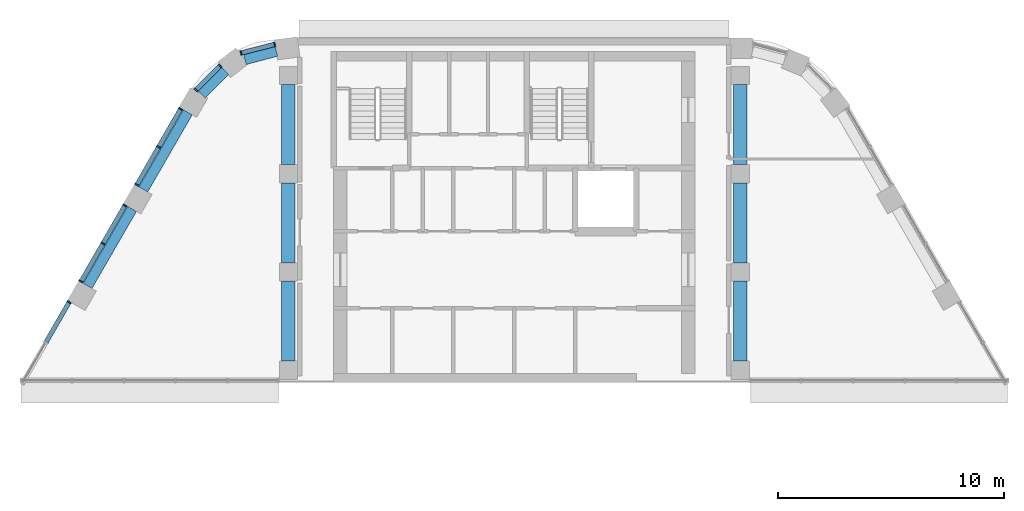
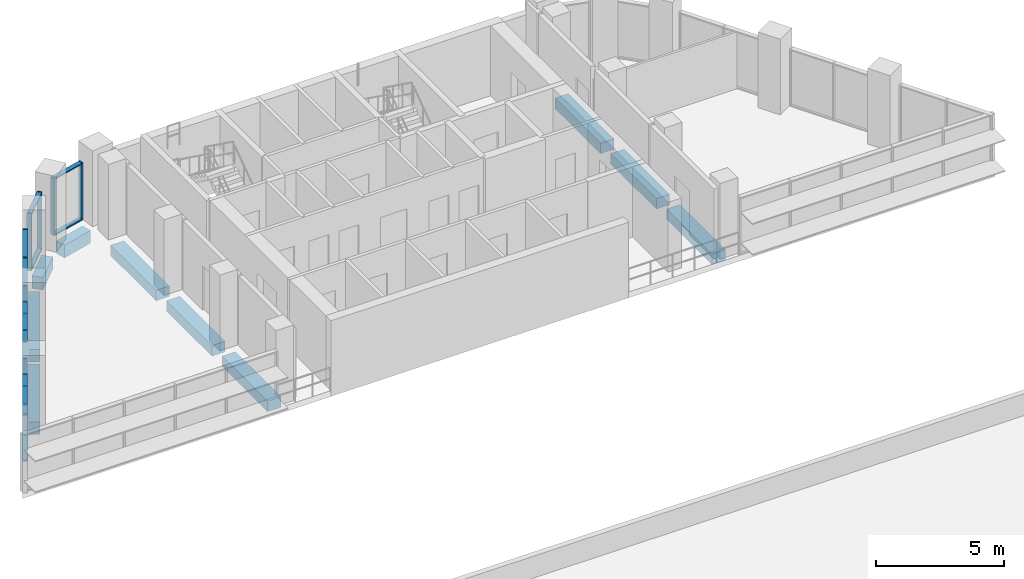
# One storey, part 4 of 10: 25 members, 10 beams, 5 elements without a shape of their own.
"""IFC4 building model written with IfcOpenShell, lengths in metres."""

from ifc_helpers import new_model, si_unit, direction, frame, origin, origin_2d, place, context, subcontext, project, spatial, rectangle, extrude, material, layer, layer_set, material_profile, profile_set, type_object, element, aggregate, save


model = new_model("IFC4")

# Units and contexts
model_context = context("Model", 3, precision=1e-05, world=origin(), true_north=direction((0.0, 1.0)))
body_context = subcontext(model_context, "Body", "Model", "MODEL_VIEW")
ifc_project = project(units=[si_unit("LENGTHUNIT", "METRE"), si_unit("AREAUNIT", "SQUARE_METRE"), si_unit("VOLUMEUNIT", "CUBIC_METRE"), si_unit("PLANEANGLEUNIT", "RADIAN"), si_unit("MASSUNIT", "GRAM", prefix="KILO")], contexts=[model_context])

# Site, building, storey
site_placement = place(None, origin())
site = spatial("IfcSite", under=ifc_project, at=site_placement, CompositionType="ELEMENT")
building_placement = place(site_placement, origin())
building = spatial("IfcBuilding", under=site, at=building_placement, Name="Nakaniwa Court", CompositionType="ELEMENT")
storey_placement = place(building_placement, frame((0.0, 0.0, 290.39990234375)))
storey = spatial("IfcBuildingStorey", under=building, at=storey_placement, Name="C06", CompositionType="ELEMENT", Elevation=290.39990234375)

# Beams
ifc_material_1 = material(Name="Concrete C80/100", Category="concrete")
ifc_material_profile_1 = material_profile(ifc_material_1, rectangle(XDim=0.449951171875, YDim=0.60009765625, at=origin_2d()), Name="Concrete C80/100 RC 450x600 spandrel beam")
ifc_profile_set_1 = profile_set([ifc_material_profile_1], Name="Concrete C80/100")
beam_type_1 = type_object("IfcBeamType", Name="Concrete C80/100 RC 450x600 spandrel beam", PredefinedType="BEAM", material=ifc_profile_set_1)
beam_1_placement = place(storey_placement, frame((69.467529296875, 102.0703125, -0.574951171875), z_axis=(-0.966341744737, -0.257261797354, 0.0), x_axis=(0.257261797354, -0.966341744737, 0.0)))
element("IfcBeam", 1, at=beam_1_placement, inside=storey, type_object=beam_type_1, Name="SPANDREL BEAM", PredefinedType="BEAM", context=body_context, shape_type="SweptSolid", body=[
    extrude(rectangle(XDim=0.449951171875, YDim=0.60009765625, at=origin_2d()), origin(), (0.0, 0.0, 1.0), 1.440673828125),
])
beam_2_placement = place(storey_placement, frame((67.196044921875, 101.202880859375, -0.574951171875), z_axis=(-0.706105687672, -0.708106459396, 0.0), x_axis=(0.708106459396, -0.706105687672, 0.0)))
element("IfcBeam", 2, at=beam_2_placement, inside=storey, type_object=beam_type_1, Name="SPANDREL BEAM", PredefinedType="BEAM", context=body_context, shape_type="SweptSolid", body=[
    extrude(rectangle(XDim=0.449951171875, YDim=0.60009765625, at=origin_2d()), origin(), (0.0, 0.0, 1.0), 1.46435546875),
])
for number, where, z_axis, x_axis, name in (
    (3, (65.546875, 99.366455078125, -0.574951171875), (-0.499974795965, -0.866039954852, 0.0), (0.866039954852, -0.499974795965, 0.0), "SPANDREL BEAM"),
    (4, (63.078857421875, 95.091552734375, -0.574951171875), (-0.500021313302, -0.866013098194, 0.0), (0.866013098194, -0.500021313302, 0.0), "SPANDREL BEAM"),
):
    element("IfcBeam", number, at=place(storey_placement, frame(where, z_axis=z_axis, x_axis=x_axis)), inside=storey, type_object=beam_type_1, Name=name, PredefinedType="BEAM", context=body_context, shape_type="SweptSolid", body=[
        extrude(rectangle(XDim=0.449951171875, YDim=0.60009765625, at=origin_2d()), origin(), (0.0, 0.0, 1.0), 3.936279296875),
    ])
ifc_material_profile_2 = material_profile(ifc_material_1, rectangle(XDim=0.60009765625, YDim=0.5, at=origin_2d()), Name="Concrete C80/100 RC 600x500 ring beam")
ifc_profile_set_2 = profile_set([ifc_material_profile_2], Name="Concrete C80/100")
beam_type_2 = type_object("IfcBeamType", Name="Concrete C80/100 RC 600x500 ring beam", PredefinedType="BEAM", material=ifc_profile_set_2)
beam_3_placement = place(storey_placement, frame((90.0, 88.35009765625, -0.52490234375), z_axis=(0.0, 1.0, 0.0), x_axis=(-1.0, 0.0, 0.0)))
element("IfcBeam", 5, at=beam_3_placement, inside=storey, type_object=beam_type_2, Name="RING BEAM", PredefinedType="BEAM", context=body_context, shape_type="SweptSolid", body=[
    extrude(rectangle(XDim=0.60009765625, YDim=0.5, at=origin_2d()), origin(), (0.0, 0.0, 1.0), 3.5498046875),
])
for number, where, z_axis, x_axis, name in (
    (6, (90.0, 92.699951171875, -0.52490234375), (0.0, 1.0, 0.0), (-1.0, 0.0, 0.0), "RING BEAM"),
    (7, (90.0, 97.050048828125, -0.52490234375), (0.0, 1.0, 0.0), (-1.0, 0.0, 0.0), "RING BEAM"),
    (8, (70.0, 100.60009765625, -0.52490234375), (0.0, -1.0, 0.0), (1.0, 0.0, 0.0), "RING BEAM"),
    (9, (70.0, 96.25, -0.52490234375), (0.0, -1.0, 0.0), (1.0, 0.0, 0.0), "RING BEAM"),
):
    element("IfcBeam", number, at=place(storey_placement, frame(where, z_axis=z_axis, x_axis=x_axis)), inside=storey, type_object=beam_type_2, Name=name, PredefinedType="BEAM", context=body_context, shape_type="SweptSolid", body=[
        extrude(rectangle(XDim=0.60009765625, YDim=0.5, at=origin_2d()), origin(), (0.0, 0.0, 1.0), 3.550048828125),
    ])
beam_4_placement = place(storey_placement, frame((70.0, 91.89990234375, -0.52490234375), z_axis=(0.0, -1.0, 0.0), x_axis=(1.0, 0.0, 0.0)))
element("IfcBeam", 10, at=beam_4_placement, inside=storey, type_object=beam_type_2, Name="RING BEAM", PredefinedType="BEAM", context=body_context, shape_type="SweptSolid", body=[
    extrude(rectangle(XDim=0.60009765625, YDim=0.5, at=origin_2d()), origin(), (0.0, 0.0, 1.0), 3.5498046875),
])

# Curtain wall, members
ifc_material_2 = material(Name="Black anodised aluminium frame with dark low-E laminated double glazing", Category="aluminium")
ifc_layer = layer(ifc_material_2, 0.199951171875)
ifc_layer_set = layer_set([ifc_layer], Name="Black anodised aluminium frame with dark low-E laminated double glazing")
curtain_wall_type = type_object("IfcCurtainWallType", Name="Crown curtain wall", PredefinedType="NOTDEFINED", material=ifc_layer_set)
curtain_wall_1_placement = place(storey_placement, origin())
curtain_wall_1 = element("IfcCurtainWall", 11, at=curtain_wall_1_placement, inside=storey, type_object=curtain_wall_type, Name="C06 curtain wall CW4 00", PredefinedType="NOTDEFINED")
ifc_material_3 = material(Name="Black anodised aluminium extrusion", Category="aluminium")
ifc_material_profile_3 = material_profile(ifc_material_3, rectangle(XDim=0.199951171875, YDim=0.06494140625, at=origin_2d()), Name="Crown curtain wall mullion 65x200")
ifc_profile_set_3 = profile_set([ifc_material_profile_3], Name="Black anodised aluminium extrusion")
member_type_1 = type_object("IfcMemberType", Name="Crown curtain wall mullion 65x200", PredefinedType="MULLION", material=ifc_profile_set_3)
member_1_placement = place(storey_placement, frame((62.761474609375, 95.241943359375, 0.0), z_axis=(0.0, 0.0, 1.0), x_axis=(0.866033174523, -0.499986540445, 0.0)))
member_1 = element("IfcMember", 12, at=member_1_placement, type_object=member_type_1, Name="CW4 mullion 1", PredefinedType="MULLION", context=body_context, shape_type="SweptSolid", body=[
    extrude(rectangle(XDim=0.199951171875, YDim=0.06494140625, at=origin_2d()), origin(), (0.0, 0.0, 1.0), 2.72509765625),
])
member_2_placement = place(storey_placement, frame((61.791748046875, 93.562255859375, 0.0), z_axis=(0.0, 0.0, 1.0), x_axis=(0.866033174523, -0.499986540445, 0.0)))
member_2 = element("IfcMember", 13, at=member_2_placement, type_object=member_type_1, Name="CW4 mullion 2", PredefinedType="MULLION", context=body_context, shape_type="SweptSolid", body=[
    extrude(rectangle(XDim=0.199951171875, YDim=0.06494140625, at=origin_2d()), origin(), (0.0, 0.0, 1.0), 2.72509765625),
])
member_3_placement = place(storey_placement, frame((60.82177734375, 91.88232421875, 0.0), z_axis=(0.0, 0.0, 1.0), x_axis=(0.866033174523, -0.499986540445, 0.0)))
member_3 = element("IfcMember", 14, at=member_3_placement, type_object=member_type_1, Name="CW4 mullion 3", PredefinedType="MULLION", context=body_context, shape_type="SweptSolid", body=[
    extrude(rectangle(XDim=0.199951171875, YDim=0.06494140625, at=origin_2d()), origin(), (0.0, 0.0, 1.0), 2.72509765625),
])

# Curtain wall, member
curtain_wall_2_placement = place(storey_placement, origin())
curtain_wall_2 = element("IfcCurtainWall", 15, at=curtain_wall_2_placement, inside=storey, type_object=curtain_wall_type, Name="C06 curtain wall CW4 01", PredefinedType="NOTDEFINED")
member_4_placement = place(storey_placement, frame((60.29345703125, 90.967041015625, 0.0), z_axis=(0.0, 0.0, 1.0), x_axis=(0.866021000852, -0.500007626024, 0.0)))
member_4 = element("IfcMember", 16, at=member_4_placement, type_object=member_type_1, Name="CW4 mullion 1", PredefinedType="MULLION", context=body_context, shape_type="SweptSolid", body=[
    extrude(rectangle(XDim=0.199951171875, YDim=0.06494140625, at=origin_2d()), origin(), (0.0, 0.0, 1.0), 2.72509765625),
])

# Curtain wall, members
curtain_wall_3_placement = place(storey_placement, origin())
curtain_wall_3 = element("IfcCurtainWall", 17, at=curtain_wall_3_placement, inside=storey, type_object=curtain_wall_type, Name="C06 curtain wall CW4 10", PredefinedType="NOTDEFINED")
member_5_placement = place(storey_placement, frame((69.392822265625, 102.37353515625, 0.0), z_axis=(0.0, 0.0, 1.0), x_axis=(0.248053150669, -0.968746424222, 0.0)))
member_5 = element("IfcMember", 18, at=member_5_placement, type_object=member_type_1, Name="CW4 mullion 1", PredefinedType="MULLION", context=body_context, shape_type="SweptSolid", body=[
    extrude(rectangle(XDim=0.199951171875, YDim=0.06494140625, at=origin_2d()), origin(), (0.0, 0.0, 1.0), 2.72509765625),
])
member_6_placement = place(storey_placement, frame((67.90771484375, 101.993408203125, 0.0), z_axis=(0.0, 0.0, 1.0), x_axis=(0.248053150669, -0.968746424222, 0.0)))
member_6 = element("IfcMember", 19, at=member_6_placement, type_object=member_type_1, Name="CW4 mullion 2", PredefinedType="MULLION", context=body_context, shape_type="SweptSolid", body=[
    extrude(rectangle(XDim=0.199951171875, YDim=0.06494140625, at=origin_2d()), origin(), (0.0, 0.0, 1.0), 2.72509765625),
])

curtain_wall_4_placement = place(storey_placement, origin())
curtain_wall_4 = element("IfcCurtainWall", 20, at=curtain_wall_4_placement, inside=storey, type_object=curtain_wall_type, Name="C06 curtain wall CW4 11", PredefinedType="NOTDEFINED")
member_7_placement = place(storey_placement, frame((66.98095703125, 101.426025390625, 0.0), z_axis=(0.0, 0.0, 1.0), x_axis=(0.705647329126, -0.708563227169, 0.0)))
member_7 = element("IfcMember", 21, at=member_7_placement, type_object=member_type_1, Name="CW4 mullion 1", PredefinedType="MULLION", context=body_context, shape_type="SweptSolid", body=[
    extrude(rectangle(XDim=0.199951171875, YDim=0.06494140625, at=origin_2d()), origin(), (0.0, 0.0, 1.0), 2.72509765625),
])
member_8_placement = place(storey_placement, frame((65.9091796875, 100.358642578125, 0.0), z_axis=(0.0, 0.0, 1.0), x_axis=(0.705647329126, -0.708563227169, 0.0)))
member_8 = element("IfcMember", 22, at=member_8_placement, type_object=member_type_1, Name="CW4 mullion 2", PredefinedType="MULLION", context=body_context, shape_type="SweptSolid", body=[
    extrude(rectangle(XDim=0.199951171875, YDim=0.06494140625, at=origin_2d()), origin(), (0.0, 0.0, 1.0), 2.72509765625),
])

curtain_wall_5_placement = place(storey_placement, origin())
curtain_wall_5 = element("IfcCurtainWall", 23, at=curtain_wall_5_placement, inside=storey, type_object=curtain_wall_type, Name="C06 curtain wall CW4 12", PredefinedType="NOTDEFINED")
member_9_placement = place(storey_placement, frame((65.2294921875, 99.516845703125, 0.0), z_axis=(0.0, 0.0, 1.0), x_axis=(0.866033174523, -0.499986540445, 0.0)))
member_9 = element("IfcMember", 24, at=member_9_placement, type_object=member_type_1, Name="CW4 mullion 1", PredefinedType="MULLION", context=body_context, shape_type="SweptSolid", body=[
    extrude(rectangle(XDim=0.199951171875, YDim=0.06494140625, at=origin_2d()), origin(), (0.0, 0.0, 1.0), 2.72509765625),
])
member_10_placement = place(storey_placement, frame((64.259765625, 97.837158203125, 0.0), z_axis=(0.0, 0.0, 1.0), x_axis=(0.866033174523, -0.499986540445, 0.0)))
member_10 = element("IfcMember", 25, at=member_10_placement, type_object=member_type_1, Name="CW4 mullion 2", PredefinedType="MULLION", context=body_context, shape_type="SweptSolid", body=[
    extrude(rectangle(XDim=0.199951171875, YDim=0.06494140625, at=origin_2d()), origin(), (0.0, 0.0, 1.0), 2.72509765625),
])
member_11_placement = place(storey_placement, frame((63.2900390625, 96.1572265625, 0.0), z_axis=(0.0, 0.0, 1.0), x_axis=(0.866033174523, -0.499986540445, 0.0)))
member_11 = element("IfcMember", 26, at=member_11_placement, type_object=member_type_1, Name="CW4 mullion 3", PredefinedType="MULLION", context=body_context, shape_type="SweptSolid", body=[
    extrude(rectangle(XDim=0.199951171875, YDim=0.06494140625, at=origin_2d()), origin(), (0.0, 0.0, 1.0), 2.72509765625),
])

# Member
ifc_material_profile_4 = material_profile(ifc_material_3, rectangle(XDim=0.199951171875, YDim=0.054931640625, at=origin_2d()), Name="Crown curtain wall transom 55x200")
ifc_profile_set_4 = profile_set([ifc_material_profile_4], Name="Black anodised aluminium extrusion")
member_type_2 = type_object("IfcMemberType", Name="Crown curtain wall transom 55x200", PredefinedType="USERDEFINED", material=ifc_profile_set_4)
member_12_placement = place(storey_placement, frame((62.7451171875, 95.2138671875, 0.027587890625), z_axis=(-0.499962952589, -0.86604679206, 0.0), x_axis=(0.86604679206, -0.499962952589, 0.0)))
member_12 = element("IfcMember", 27, at=member_12_placement, type_object=member_type_2, Name="CW4 transom 1.1", ObjectType="TRANSOM", PredefinedType="USERDEFINED", context=body_context, shape_type="SweptSolid", body=[
    extrude(rectangle(XDim=0.199951171875, YDim=0.054931640625, at=origin_2d()), origin(), (0.0, 0.0, 1.0), 1.874755859375),
])

member_13_placement = place(storey_placement, frame((62.7451171875, 95.2138671875, 2.697509765625), z_axis=(-0.499962952589, -0.86604679206, 0.0), x_axis=(0.86604679206, -0.499962952589, 0.0)))
member_13 = element("IfcMember", 28, at=member_13_placement, type_object=member_type_2, Name="CW4 transom 1.2", ObjectType="TRANSOM", PredefinedType="USERDEFINED", context=body_context, shape_type="SweptSolid", body=[
    extrude(rectangle(XDim=0.199951171875, YDim=0.054931640625, at=origin_2d()), origin(), (0.0, 0.0, 1.0), 1.874755859375),
])

member_14_placement = place(storey_placement, frame((61.775390625, 93.533935546875, 0.027587890625), z_axis=(-0.499962952589, -0.86604679206, 0.0), x_axis=(0.86604679206, -0.499962952589, 0.0)))
member_14 = element("IfcMember", 29, at=member_14_placement, type_object=member_type_2, Name="CW4 transom 2.1", ObjectType="TRANSOM", PredefinedType="USERDEFINED", context=body_context, shape_type="SweptSolid", body=[
    extrude(rectangle(XDim=0.199951171875, YDim=0.054931640625, at=origin_2d()), origin(), (0.0, 0.0, 1.0), 1.874755859375),
])

member_15_placement = place(storey_placement, frame((61.775390625, 93.533935546875, 2.697509765625), z_axis=(-0.499962952589, -0.86604679206, 0.0), x_axis=(0.86604679206, -0.499962952589, 0.0)))
member_15 = element("IfcMember", 30, at=member_15_placement, type_object=member_type_2, Name="CW4 transom 2.2", ObjectType="TRANSOM", PredefinedType="USERDEFINED", context=body_context, shape_type="SweptSolid", body=[
    extrude(rectangle(XDim=0.199951171875, YDim=0.054931640625, at=origin_2d()), origin(), (0.0, 0.0, 1.0), 1.874755859375),
])

aggregate(curtain_wall_1, [member_1, member_2, member_3, member_12, member_13, member_14, member_15])

member_16_placement = place(storey_placement, frame((60.277099609375, 90.93896484375, 0.027587890625), z_axis=(-0.500024272756, -0.866011389449, 0.0), x_axis=(0.866011389449, -0.500024272756, 0.0)))
member_16 = element("IfcMember", 31, at=member_16_placement, type_object=member_type_2, Name="CW4 transom 1.1", ObjectType="TRANSOM", PredefinedType="USERDEFINED", context=body_context, shape_type="SweptSolid", body=[
    extrude(rectangle(XDim=0.199951171875, YDim=0.054931640625, at=origin_2d()), origin(), (0.0, 0.0, 1.0), 2.00732421875),
])

member_17_placement = place(storey_placement, frame((60.277099609375, 90.93896484375, 2.697509765625), z_axis=(-0.500024272756, -0.866011389449, 0.0), x_axis=(0.866011389449, -0.500024272756, 0.0)))
member_17 = element("IfcMember", 32, at=member_17_placement, type_object=member_type_2, Name="CW4 transom 1.2", ObjectType="TRANSOM", PredefinedType="USERDEFINED", context=body_context, shape_type="SweptSolid", body=[
    extrude(rectangle(XDim=0.199951171875, YDim=0.054931640625, at=origin_2d()), origin(), (0.0, 0.0, 1.0), 2.00732421875),
])

aggregate(curtain_wall_2, [member_4, member_16, member_17])

member_18_placement = place(storey_placement, frame((69.361328125, 102.365478515625, 0.027587890625), z_axis=(-0.96876740612, -0.247971193567, 0.0), x_axis=(0.247971193567, -0.96876740612, 0.0)))
member_18 = element("IfcMember", 33, at=member_18_placement, type_object=member_type_2, Name="CW4 transom 1.1", ObjectType="TRANSOM", PredefinedType="USERDEFINED", context=body_context, shape_type="SweptSolid", body=[
    extrude(rectangle(XDim=0.199951171875, YDim=0.054931640625, at=origin_2d()), origin(), (0.0, 0.0, 1.0), 1.468017578125),
])

member_19_placement = place(storey_placement, frame((69.361328125, 102.365478515625, 2.697509765625), z_axis=(-0.96876740612, -0.247971193567, 0.0), x_axis=(0.247971193567, -0.96876740612, 0.0)))
member_19 = element("IfcMember", 34, at=member_19_placement, type_object=member_type_2, Name="CW4 transom 1.2", ObjectType="TRANSOM", PredefinedType="USERDEFINED", context=body_context, shape_type="SweptSolid", body=[
    extrude(rectangle(XDim=0.199951171875, YDim=0.054931640625, at=origin_2d()), origin(), (0.0, 0.0, 1.0), 1.468017578125),
])

aggregate(curtain_wall_3, [member_5, member_6, member_18, member_19])

member_20_placement = place(storey_placement, frame((66.9580078125, 101.403076171875, 0.027587890625), z_axis=(-0.708538934428, -0.705671721411, 0.0), x_axis=(0.705671721411, -0.708538934428, 0.0)))
member_20 = element("IfcMember", 35, at=member_20_placement, type_object=member_type_2, Name="CW4 transom 1.1", ObjectType="TRANSOM", PredefinedType="USERDEFINED", context=body_context, shape_type="SweptSolid", body=[
    extrude(rectangle(XDim=0.199951171875, YDim=0.054931640625, at=origin_2d()), origin(), (0.0, 0.0, 1.0), 1.447509765625),
])

member_21_placement = place(storey_placement, frame((66.9580078125, 101.403076171875, 2.697509765625), z_axis=(-0.708538934428, -0.705671721411, 0.0), x_axis=(0.705671721411, -0.708538934428, 0.0)))
member_21 = element("IfcMember", 36, at=member_21_placement, type_object=member_type_2, Name="CW4 transom 1.2", ObjectType="TRANSOM", PredefinedType="USERDEFINED", context=body_context, shape_type="SweptSolid", body=[
    extrude(rectangle(XDim=0.199951171875, YDim=0.054931640625, at=origin_2d()), origin(), (0.0, 0.0, 1.0), 1.447509765625),
])

aggregate(curtain_wall_4, [member_7, member_8, member_20, member_21])

member_22_placement = place(storey_placement, frame((65.21337890625, 99.48876953125, 0.027587890625), z_axis=(-0.500060622324, -0.86599040064, 0.0), x_axis=(0.86599040064, -0.500060622324, 0.0)))
member_22 = element("IfcMember", 37, at=member_22_placement, type_object=member_type_2, Name="CW4 transom 1.1", ObjectType="TRANSOM", PredefinedType="USERDEFINED", context=body_context, shape_type="SweptSolid", body=[
    extrude(rectangle(XDim=0.199951171875, YDim=0.054931640625, at=origin_2d()), origin(), (0.0, 0.0, 1.0), 1.874755859375),
])

member_23_placement = place(storey_placement, frame((65.21337890625, 99.48876953125, 2.697509765625), z_axis=(-0.500060622324, -0.86599040064, 0.0), x_axis=(0.86599040064, -0.500060622324, 0.0)))
member_23 = element("IfcMember", 38, at=member_23_placement, type_object=member_type_2, Name="CW4 transom 1.2", ObjectType="TRANSOM", PredefinedType="USERDEFINED", context=body_context, shape_type="SweptSolid", body=[
    extrude(rectangle(XDim=0.199951171875, YDim=0.054931640625, at=origin_2d()), origin(), (0.0, 0.0, 1.0), 1.874755859375),
])

member_24_placement = place(storey_placement, frame((64.243408203125, 97.808837890625, 0.027587890625), z_axis=(-0.499962952589, -0.86604679206, 0.0), x_axis=(0.86604679206, -0.499962952589, 0.0)))
member_24 = element("IfcMember", 39, at=member_24_placement, type_object=member_type_2, Name="CW4 transom 2.1", ObjectType="TRANSOM", PredefinedType="USERDEFINED", context=body_context, shape_type="SweptSolid", body=[
    extrude(rectangle(XDim=0.199951171875, YDim=0.054931640625, at=origin_2d()), origin(), (0.0, 0.0, 1.0), 1.874755859375),
])

member_25_placement = place(storey_placement, frame((64.243408203125, 97.808837890625, 2.697509765625), z_axis=(-0.499962952589, -0.86604679206, 0.0), x_axis=(0.86604679206, -0.499962952589, 0.0)))
member_25 = element("IfcMember", 40, at=member_25_placement, type_object=member_type_2, Name="CW4 transom 2.2", ObjectType="TRANSOM", PredefinedType="USERDEFINED", context=body_context, shape_type="SweptSolid", body=[
    extrude(rectangle(XDim=0.199951171875, YDim=0.054931640625, at=origin_2d()), origin(), (0.0, 0.0, 1.0), 1.874755859375),
])

aggregate(curtain_wall_5, [member_9, member_10, member_11, member_22, member_23, member_24, member_25])

save(model, "model.ifc")
